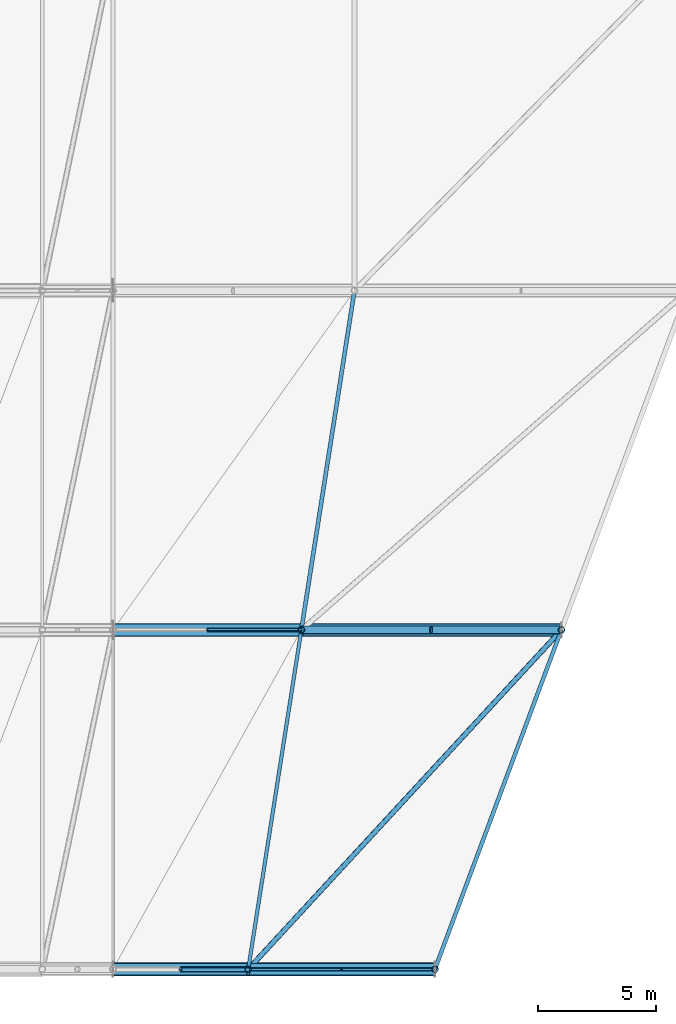
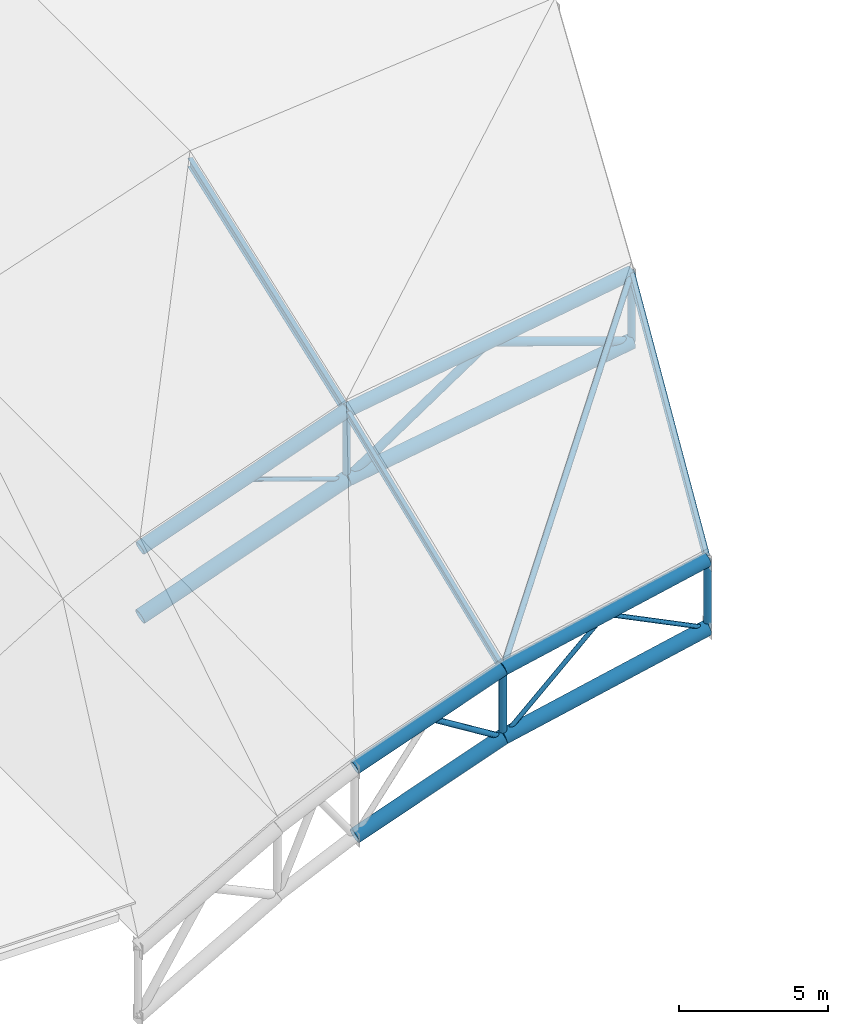
# One storey, part 4 of 36: 22 members.
"""IFC4 building model written with IfcOpenShell, lengths in metres."""

from ifc_helpers import new_model, si_unit, direction, frame, origin, origin_2d, place, context, subcontext, project, spatial, hollow_circle, i_section, extrude, material, material_profile, profile_set, type_object, element, save


model = new_model("IFC4")

# Units and contexts
model_context = context("Model", 3, precision=1e-05, world=origin(), true_north=direction((0.0, 1.0)))
body_context = subcontext(model_context, "Body", "Model", "MODEL_VIEW")
ifc_project = project(units=[si_unit("LENGTHUNIT", "METRE"), si_unit("AREAUNIT", "SQUARE_METRE"), si_unit("VOLUMEUNIT", "CUBIC_METRE"), si_unit("PLANEANGLEUNIT", "RADIAN"), si_unit("MASSUNIT", "GRAM", prefix="KILO")], contexts=[model_context])

# Site, building, storey
site_placement = place(None, origin())
site = spatial("IfcSite", under=ifc_project, at=site_placement, CompositionType="ELEMENT")
building_placement = place(site_placement, origin())
building = spatial("IfcBuilding", under=site, at=building_placement, Name="Koshinbarg Plaza Stadium", CompositionType="ELEMENT")
storey_placement = place(building_placement, frame((0.0, 0.0, 34.199951171875)))
storey = spatial("IfcBuildingStorey", under=building, at=storey_placement, Name="RF", CompositionType="ELEMENT", Elevation=34.199951171875)

# Members
ifc_material = material(Name="Steel S355", Category="steel")
ifc_material_profile_1 = material_profile(ifc_material, hollow_circle(Radius=0.279541015625, WallThickness=0.022216796875, at=origin_2d()), Name="CHS 559x22.2")
ifc_profile_set_1 = profile_set([ifc_material_profile_1], Name="Steel S355")
member_type_1 = type_object("IfcMemberType", Name="MB-ARCH-BOT", PredefinedType="CHORD", material=ifc_profile_set_1)
member_1_placement = place(storey_placement, frame((54.60009765625, 25.5, -0.353271484375), z_axis=(0.941982839682, 0.0, 0.335661033999), x_axis=(0.0, 1.0, 0.0)))
element("IfcMember", 1, at=member_1_placement, inside=storey, type_object=member_type_1, Name="Quarter-barrel roof truss bottom chord WRB-01-3", PredefinedType="CHORD", context=body_context, shape_type="SweptSolid", body=[
    extrude(hollow_circle(Radius=0.279541015625, WallThickness=0.022216796875, at=origin_2d()), origin(), (0.0, 0.0, 1.0), 6.09228515625),
])
member_2_placement = place(storey_placement, frame((60.3388671875, 25.5, 1.691650390625), z_axis=(0.977875975402, 0.0, 0.209185507939), x_axis=(0.0, 1.0, 0.0)))
element("IfcMember", 2, at=member_2_placement, inside=storey, type_object=member_type_1, Name="Quarter-barrel roof truss bottom chord WRB-01-4", PredefinedType="CHORD", context=body_context, shape_type="SweptSolid", body=[
    extrude(hollow_circle(Radius=0.279541015625, WallThickness=0.022216796875, at=origin_2d()), origin(), (0.0, 0.0, 1.0), 8.104248046875),
])
member_3_placement = place(storey_placement, frame((54.60009765625, 39.89990234375, -0.10302734375), z_axis=(0.942098779922, 0.0, 0.335335487041), x_axis=(0.0, 1.0, 0.0)))
element("IfcMember", 3, at=member_3_placement, inside=storey, type_object=member_type_1, Name="Quarter-barrel roof truss bottom chord WRB-02-3", PredefinedType="CHORD", context=body_context, shape_type="SweptSolid", body=[
    extrude(hollow_circle(Radius=0.279541015625, WallThickness=0.022216796875, at=origin_2d()), origin(), (0.0, 0.0, 1.0), 8.484619140625),
])
member_4_placement = place(storey_placement, frame((62.593505859375, 39.89990234375, 2.7421875), z_axis=(0.987287695583, 0.0, 0.158943405497), x_axis=(0.0, 1.0, 0.0)))
element("IfcMember", 4, at=member_4_placement, inside=storey, type_object=member_type_1, Name="Quarter-barrel roof truss bottom chord WRB-02-4", PredefinedType="CHORD", context=body_context, shape_type="SweptSolid", body=[
    extrude(hollow_circle(Radius=0.279541015625, WallThickness=0.022216796875, at=origin_2d()), origin(), (0.0, 0.0, 1.0), 11.1806640625),
])
ifc_material_profile_2 = material_profile(ifc_material, hollow_circle(Radius=0.25390625, WallThickness=0.02001953125, at=origin_2d()), Name="CHS 508x20")
ifc_profile_set_2 = profile_set([ifc_material_profile_2], Name="Steel S355")
member_type_2 = type_object("IfcMemberType", Name="MB-ARCH-TOP", PredefinedType="CHORD", material=ifc_profile_set_2)
member_5_placement = place(storey_placement, frame((54.60009765625, 25.5, 2.446533203125), z_axis=(0.94197016826, 0.0, 0.335696592339), x_axis=(0.0, 1.0, 0.0)))
element("IfcMember", 5, at=member_5_placement, inside=storey, type_object=member_type_2, Name="Quarter-barrel roof truss top chord WRB-01-3", PredefinedType="CHORD", context=body_context, shape_type="SweptSolid", body=[
    extrude(hollow_circle(Radius=0.25390625, WallThickness=0.02001953125, at=origin_2d()), origin(), (0.0, 0.0, 1.0), 6.09228515625),
])
member_6_placement = place(storey_placement, frame((60.3388671875, 25.5, 4.49169921875), z_axis=(0.977875975402, 0.0, 0.209185507939), x_axis=(0.0, 1.0, 0.0)))
element("IfcMember", 6, at=member_6_placement, inside=storey, type_object=member_type_2, Name="Quarter-barrel roof truss top chord WRB-01-4", PredefinedType="CHORD", context=body_context, shape_type="SweptSolid", body=[
    extrude(hollow_circle(Radius=0.25390625, WallThickness=0.02001953125, at=origin_2d()), origin(), (0.0, 0.0, 1.0), 8.104248046875),
])
member_7_placement = place(storey_placement, frame((54.60009765625, 39.89990234375, 2.697021484375), z_axis=(0.942098779922, 0.0, 0.335335487041), x_axis=(0.0, 1.0, 0.0)))
element("IfcMember", 7, at=member_7_placement, inside=storey, type_object=member_type_2, Name="Quarter-barrel roof truss top chord WRB-02-3", PredefinedType="CHORD", context=body_context, shape_type="SweptSolid", body=[
    extrude(hollow_circle(Radius=0.25390625, WallThickness=0.02001953125, at=origin_2d()), origin(), (0.0, 0.0, 1.0), 8.484619140625),
])
member_8_placement = place(storey_placement, frame((62.593505859375, 39.89990234375, 5.542236328125), z_axis=(0.987287695583, 0.0, 0.158943405497), x_axis=(0.0, 1.0, 0.0)))
element("IfcMember", 8, at=member_8_placement, inside=storey, type_object=member_type_2, Name="Quarter-barrel roof truss top chord WRB-02-4", PredefinedType="CHORD", context=body_context, shape_type="SweptSolid", body=[
    extrude(hollow_circle(Radius=0.25390625, WallThickness=0.02001953125, at=origin_2d()), origin(), (0.0, 0.0, 1.0), 11.1806640625),
])
ifc_material_profile_3 = material_profile(ifc_material, hollow_circle(Radius=0.161865234375, WallThickness=0.01416015625, at=origin_2d()), Name="CHS 323.9x14.2")
ifc_profile_set_3 = profile_set([ifc_material_profile_3], Name="Steel S355")
member_type_3 = type_object("IfcMemberType", Name="MB-BRACE-01", PredefinedType="BRACE", material=ifc_profile_set_3)
member_9_placement = place(storey_placement, frame((62.593505859375, 39.89990234375, 2.7421875), z_axis=(0.831427383293, 0.0, 0.555633428), x_axis=(0.0, 1.0, 0.0)))
element("IfcMember", 9, at=member_9_placement, inside=storey, type_object=member_type_3, Name="Quarter-barrel roof truss web diagonal WRB-02-4A", PredefinedType="BRACE", context=body_context, shape_type="SweptSolid", body=[
    extrude(hollow_circle(Radius=0.161865234375, WallThickness=0.01416015625, at=origin_2d()), origin(), (0.0, 0.0, 1.0), 6.638427734375),
])
member_10_placement = place(storey_placement, frame((68.11279296875, 39.89990234375, 6.4306640625), z_axis=(0.944940842416, 0.0, -0.327241202073), x_axis=(0.0, 1.0, 0.0)))
element("IfcMember", 10, at=member_10_placement, inside=storey, type_object=member_type_3, Name="Quarter-barrel roof truss web diagonal WRB-02-4B", PredefinedType="BRACE", context=body_context, shape_type="SweptSolid", body=[
    extrude(hollow_circle(Radius=0.161865234375, WallThickness=0.01416015625, at=origin_2d()), origin(), (0.0, 0.0, 1.0), 5.8408203125),
])
ifc_material_profile_4 = material_profile(ifc_material, hollow_circle(Radius=0.136474609375, WallThickness=0.012451171875, at=origin_2d()), Name="CHS 273x12.5")
ifc_profile_set_4 = profile_set([ifc_material_profile_4], Name="Steel S355")
member_type_4 = type_object("IfcMemberType", Name="MB-BRACE-02", PredefinedType="BRACE", material=ifc_profile_set_4)
for number, where, z_axis, x_axis, name in (
    (11, (60.3388671875, 25.5, 1.691650390625), (0.0, 0.0, 1.0), (1.0, 0.0, 0.0), "Quarter-barrel roof truss post WRB-01-4"),
    (12, (68.263916015625, 25.5, 3.386962890625), (0.0, 0.0, 1.0), (1.0, 0.0, 0.0), "Quarter-barrel roof truss post WRB-01-5"),
    (13, (62.593505859375, 39.89990234375, 2.7421875), (0.0, 0.0, 1.0), (1.0, 0.0, 0.0), "Quarter-barrel roof truss post WRB-02-4"),
    (14, (73.632080078125, 39.89990234375, 4.519287109375), (0.0, 0.0, 1.0), (1.0, 0.0, 0.0), "Quarter-barrel roof truss post WRB-02-5"),
):
    element("IfcMember", number, at=place(storey_placement, frame(where, z_axis=z_axis, x_axis=x_axis)), inside=storey, type_object=member_type_4, Name=name, PredefinedType="BRACE", context=body_context, shape_type="SweptSolid", body=[
        extrude(hollow_circle(Radius=0.136474609375, WallThickness=0.012451171875, at=origin_2d()), origin(), (0.0, 0.0, 1.0), 2.800048828125),
    ])
ifc_material_profile_5 = material_profile(ifc_material, hollow_circle(Radius=0.109619140625, WallThickness=0.010009765625, at=origin_2d()), Name="CHS 219.1x10")
ifc_profile_set_5 = profile_set([ifc_material_profile_5], Name="Steel S355")
member_type_5 = type_object("IfcMemberType", Name="MB-BRACE-03", PredefinedType="BRACE", material=ifc_profile_set_5)
member_11_placement = place(storey_placement, frame((57.469482421875, 25.5, 3.46923828125), z_axis=(0.850092457954, 0.0, -0.526633471145), x_axis=(0.0, 1.0, 0.0)))
element("IfcMember", 15, at=member_11_placement, inside=storey, type_object=member_type_5, Name="Quarter-barrel roof truss web diagonal WRB-01-3B", PredefinedType="BRACE", context=body_context, shape_type="SweptSolid", body=[
    extrude(hollow_circle(Radius=0.109619140625, WallThickness=0.010009765625, at=origin_2d()), origin(), (0.0, 0.0, 1.0), 3.37548828125),
])
member_12_placement = place(storey_placement, frame((60.3388671875, 25.5, 4.49169921875), z_axis=(0.671355358149, 0.727247180561, 0.142805887309), x_axis=(-0.734778130773, 0.678307525049, 0.0)))
element("IfcMember", 16, at=member_12_placement, inside=storey, type_object=member_type_5, Name="Roof plan wind brace west bay 1.4", PredefinedType="BRACE", context=body_context, shape_type="SweptSolid", body=[
    extrude(hollow_circle(Radius=0.109619140625, WallThickness=0.010009765625, at=origin_2d()), origin(), (0.0, 0.0, 1.0), 19.800537109375),
])
ifc_material_profile_6 = material_profile(ifc_material, hollow_circle(Radius=0.084228515625, WallThickness=0.008056640625, at=origin_2d()), Name="CHS 168.3x8")
ifc_profile_set_6 = profile_set([ifc_material_profile_6], Name="Steel S355")
member_type_6 = type_object("IfcMemberType", Name="MB-BRACE-04", PredefinedType="BRACE", material=ifc_profile_set_6)
member_13_placement = place(storey_placement, frame((60.3388671875, 25.5, 1.691650390625), z_axis=(0.735739452383, 0.0, 0.677264688439), x_axis=(0.0, 1.0, 0.0)))
element("IfcMember", 17, at=member_13_placement, inside=storey, type_object=member_type_6, Name="Quarter-barrel roof truss web diagonal WRB-01-4A", PredefinedType="BRACE", context=body_context, shape_type="SweptSolid", body=[
    extrude(hollow_circle(Radius=0.084228515625, WallThickness=0.008056640625, at=origin_2d()), origin(), (0.0, 0.0, 1.0), 5.385986328125),
])
member_14_placement = place(storey_placement, frame((64.301513671875, 25.5, 5.33935546875), z_axis=(0.897020684397, 0.0, -0.441988565196), x_axis=(0.0, 1.0, 0.0)))
element("IfcMember", 18, at=member_14_placement, inside=storey, type_object=member_type_6, Name="Quarter-barrel roof truss web diagonal WRB-01-4B", PredefinedType="BRACE", context=body_context, shape_type="SweptSolid", body=[
    extrude(hollow_circle(Radius=0.084228515625, WallThickness=0.008056640625, at=origin_2d()), origin(), (0.0, 0.0, 1.0), 4.417236328125),
])
member_15_placement = place(storey_placement, frame((58.5966796875, 39.89990234375, 4.11962890625), z_axis=(0.945429428908, 0.0, -0.325826940193), x_axis=(0.0, 1.0, 0.0)))
element("IfcMember", 19, at=member_15_placement, inside=storey, type_object=member_type_6, Name="Quarter-barrel roof truss web diagonal WRB-02-3B", PredefinedType="BRACE", context=body_context, shape_type="SweptSolid", body=[
    extrude(hollow_circle(Radius=0.084228515625, WallThickness=0.008056640625, at=origin_2d()), origin(), (0.0, 0.0, 1.0), 4.2275390625),
])
ifc_material_profile_7 = material_profile(ifc_material, i_section(OverallWidth=0.14990234375, OverallDepth=0.300048828125, WebThickness=0.007080078125, FlangeThickness=0.0107421875, at=origin_2d()), Name="IPE 300")
ifc_profile_set_7 = profile_set([ifc_material_profile_7], Name="Steel S355")
member_type_7 = type_object("IfcMemberType", Name="MB-PURL-04", PredefinedType="PURLIN", material=ifc_profile_set_7)
member_16_placement = place(storey_placement, frame((60.3388671875, 25.5, 4.4716796875), z_axis=(0.154288320031, 0.985407005097, 0.07188983661), x_axis=(-0.987963282713, 0.154688564577, 0.0)))
element("IfcMember", 20, at=member_16_placement, inside=storey, type_object=member_type_7, Name="Roof longitudinal purlin west bay 1.4", PredefinedType="PURLIN", context=body_context, shape_type="SweptSolid", body=[
    extrude(i_section(OverallWidth=0.14990234375, OverallDepth=0.300048828125, WebThickness=0.007080078125, FlangeThickness=0.0107421875, at=origin_2d()), origin(), (0.0, 0.0, 1.0), 14.613037109375),
])
ifc_material_profile_8 = material_profile(ifc_material, i_section(OverallWidth=0.169921875, OverallDepth=0.360107421875, WebThickness=0.008056640625, FlangeThickness=0.0126953125, at=origin_2d()), Name="IPE 360")
ifc_profile_set_8 = profile_set([ifc_material_profile_8], Name="Steel S355")
member_type_8 = type_object("IfcMemberType", Name="MB-PURL-05", PredefinedType="PURLIN", material=ifc_profile_set_8)
member_17_placement = place(storey_placement, frame((68.263916015625, 25.5, 6.1669921875), z_axis=(0.348364362763, 0.934474569969, 0.073481622453), x_axis=(-0.93700770347, 0.349308693905, 0.0)))
element("IfcMember", 21, at=member_17_placement, inside=storey, type_object=member_type_8, Name="Roof longitudinal purlin west bay 1.5", PredefinedType="PURLIN", context=body_context, shape_type="SweptSolid", body=[
    extrude(i_section(OverallWidth=0.169921875, OverallDepth=0.360107421875, WebThickness=0.008056640625, FlangeThickness=0.0126953125, at=origin_2d()), origin(), (0.0, 0.0, 1.0), 15.40966796875),
])
member_18_placement = place(storey_placement, frame((62.593505859375, 39.89990234375, 5.522216796875), z_axis=(0.154502242305, 0.986896876531, 0.046514645182), x_axis=(-0.987966243184, 0.154669655487, 0.0)))
element("IfcMember", 22, at=member_18_placement, inside=storey, type_object=member_type_8, Name="Roof longitudinal purlin west bay 2.4", PredefinedType="PURLIN", context=body_context, shape_type="SweptSolid", body=[
    extrude(i_section(OverallWidth=0.169921875, OverallDepth=0.360107421875, WebThickness=0.008056640625, FlangeThickness=0.0126953125, at=origin_2d()), origin(), (0.0, 0.0, 1.0), 14.59130859375),
])

save(model, "model.ifc")
